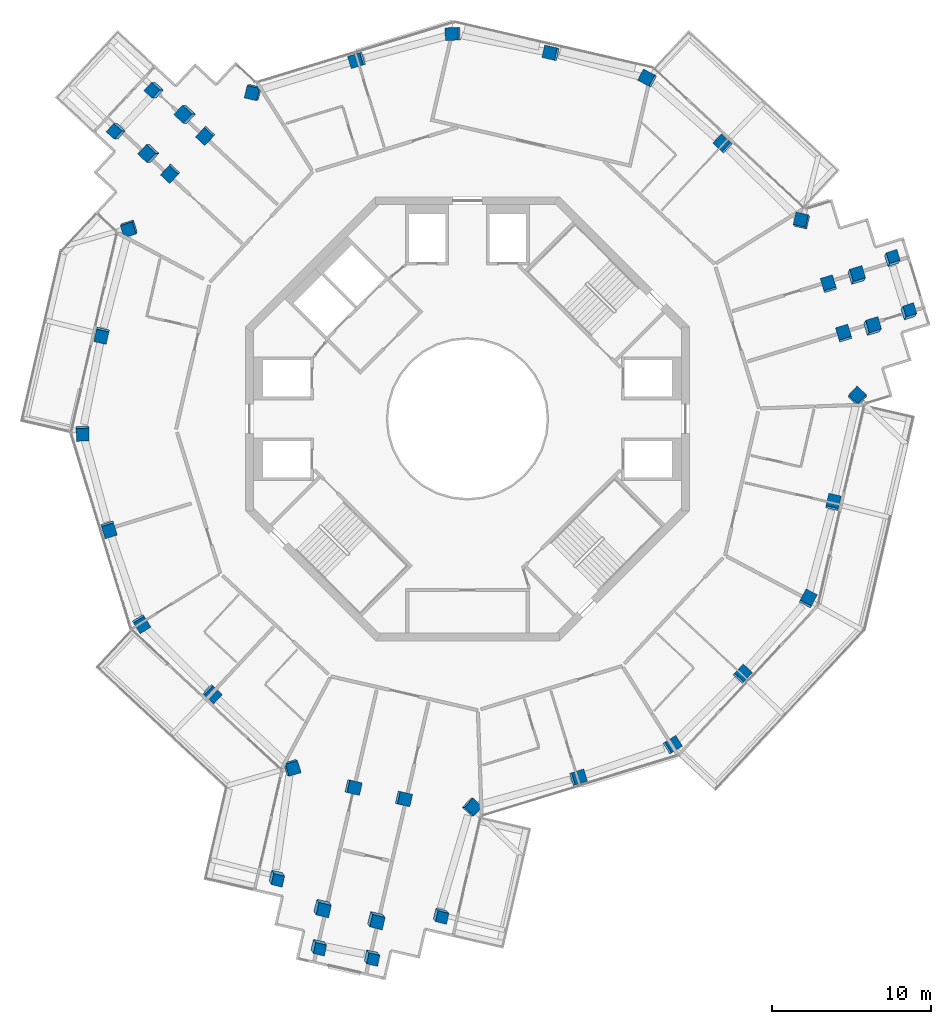
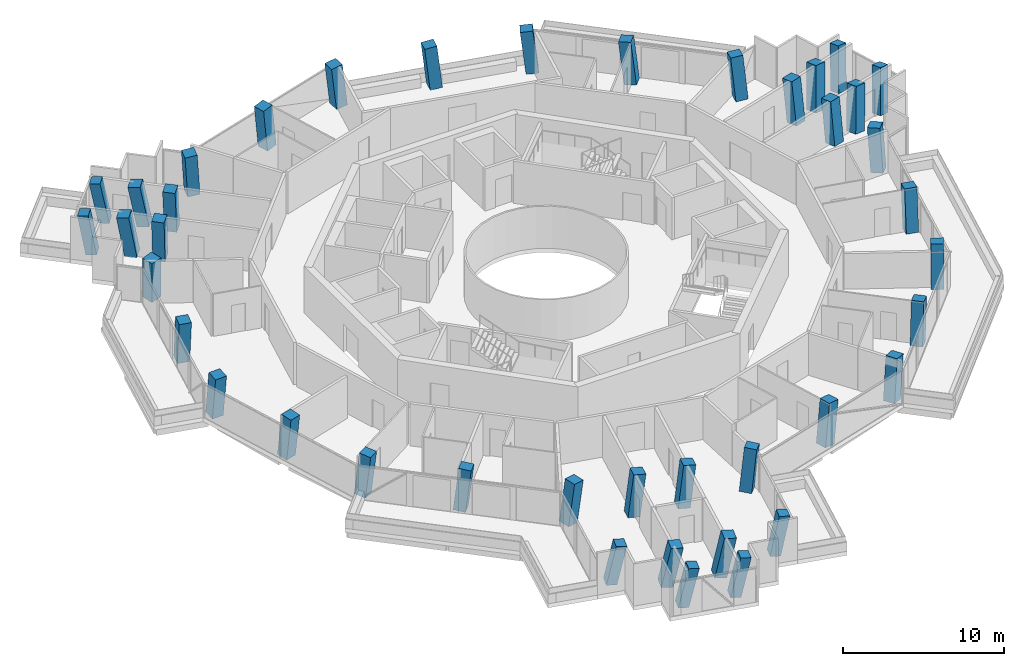
# One storey, part 1 of 21: 41 columns.
"""IFC4 building model written with IfcOpenShell, lengths in metres."""

from ifc_helpers import new_model, si_unit, direction, frame, origin, origin_2d, place, context, subcontext, project, spatial, rectangle, extrude, material, material_profile, profile_set, type_object, element, save


model = new_model("IFC4")

# Units and contexts
model_context = context("Model", 3, precision=1e-05, world=origin(), true_north=direction((0.0, 1.0)))
body_context = subcontext(model_context, "Body", "Model", "MODEL_VIEW")
ifc_project = project(units=[si_unit("LENGTHUNIT", "METRE"), si_unit("AREAUNIT", "SQUARE_METRE"), si_unit("VOLUMEUNIT", "CUBIC_METRE"), si_unit("PLANEANGLEUNIT", "RADIAN"), si_unit("MASSUNIT", "GRAM", prefix="KILO")], contexts=[model_context])

# Site, building, storey
site_placement = place(None, origin())
site = spatial("IfcSite", under=ifc_project, at=site_placement, CompositionType="ELEMENT")
building_placement = place(site_placement, origin())
building = spatial("IfcBuilding", under=site, at=building_placement, Name="Verdalira Terraces Hotel", CompositionType="ELEMENT")
storey_placement = place(building_placement, frame((0.0, 0.0, 227.0)))
storey = spatial("IfcBuildingStorey", under=building, at=storey_placement, Name="L55", CompositionType="ELEMENT", Elevation=227.0)

# Columns
ifc_material_1 = material(Name="Concrete C50", Category="concrete")
ifc_material_profile_1 = material_profile(ifc_material_1, rectangle(XDim=0.699951, YDim=0.699951, at=origin_2d()), Name="RC 700X700")
ifc_profile_set_1 = profile_set([ifc_material_profile_1], Name="Concrete C50")
column_type_1 = type_object("IfcColumnType", Name="Column RC 700X700 C50", PredefinedType="COLUMN", material=ifc_profile_set_1)
for number, where, z_axis, x_axis, name in (
    (1, (-12.081787, -28.867676, 0.0), (0.106017891, -0.192698717, 0.975513922), (-0.245154956, -0.95582486, -0.162166227), "Column C08"),
    (2, (-9.452881, -33.228271, 0.0), (0.126321214, -0.180224238, 0.975480484), (0.966900577, -0.197390937, -0.161678976), "Column C09"),
):
    element("IfcColumn", number, at=place(storey_placement, frame(where, z_axis=z_axis, x_axis=x_axis)), inside=storey, type_object=column_type_1, Name=name, PredefinedType="COLUMN", context=body_context, shape_type="SweptSolid", body=[
        extrude(rectangle(XDim=0.699951, YDim=0.699951, at=origin_2d()), origin(), (0.0, 0.0, 1.0), 3.27002),
    ])
column_1_placement = place(storey_placement, frame((-6.097656, -33.897705, 0.0), z_axis=(0.129607101, -0.165002112, 0.977740406), x_axis=(0.966282959, -0.200230933, -0.161879021)))
element("IfcColumn", 3, at=column_1_placement, inside=storey, type_object=column_type_1, Name="Column C10", PredefinedType="COLUMN", context=body_context, shape_type="SweptSolid", body=[
    extrude(rectangle(XDim=0.699951, YDim=0.699951, at=origin_2d()), origin(), (0.0, 0.0, 1.0), 3.262451),
])
column_2_placement = place(storey_placement, frame((-1.736816, -31.268799, 0.0), z_axis=(0.117663828, -0.145331745, 0.982361394), x_axis=(0.23960236, 0.964161946, 0.113940559)))
element("IfcColumn", 4, at=column_2_placement, inside=storey, type_object=column_type_1, Name="Column C11", PredefinedType="COLUMN", context=body_context, shape_type="SweptSolid", body=[
    extrude(rectangle(XDim=0.699951, YDim=0.699951, at=origin_2d()), origin(), (0.0, 0.0, 1.0), 3.247314),
])
column_3_placement = place(storey_placement, frame((27.766357, 6.669434, 0.0), z_axis=(0.101808213, 0.173553765, 0.979547946), x_axis=(-0.309801765, 0.941230519, -0.134565885)))
element("IfcColumn", 5, at=column_3_placement, inside=storey, type_object=column_type_1, Name="Column C19", PredefinedType="COLUMN", context=body_context, shape_type="SweptSolid", body=[
    extrude(rectangle(XDim=0.699951, YDim=0.699951, at=origin_2d()), origin(), (0.0, 0.0, 1.0), 3.256592),
])
column_4_placement = place(storey_placement, frame((26.734863, 10.034912, 0.0), z_axis=(0.086266605, 0.168926244, 0.981846219), x_axis=(-0.307573339, 0.941894837, -0.135028731)))
element("IfcColumn", 6, at=column_4_placement, inside=storey, type_object=column_type_1, Name="Column C20", PredefinedType="COLUMN", context=body_context, shape_type="SweptSolid", body=[
    extrude(rectangle(XDim=0.699951, YDim=0.699951, at=origin_2d()), origin(), (0.0, 0.0, 1.0), 3.249023),
])
column_5_placement = place(storey_placement, frame((-19.65918, 20.71167, 0.0), z_axis=(-0.201145007, 0.001424434, 0.979560441), x_axis=(-0.660359105, -0.73880229, -0.134525198)))
element("IfcColumn", 7, at=column_5_placement, inside=storey, type_object=column_type_1, Name="Column C28", PredefinedType="COLUMN", context=body_context, shape_type="SweptSolid", body=[
    extrude(rectangle(XDim=0.699951, YDim=0.699951, at=origin_2d()), origin(), (0.0, 0.0, 1.0), 3.256592),
])
column_6_placement = place(storey_placement, frame((-22.057861, 18.135498, 0.0), z_axis=(-0.189440503, -0.009693703, 0.98184435), x_axis=(-0.662153639, -0.737101039, -0.135035616)))
element("IfcColumn", 8, at=column_6_placement, inside=storey, type_object=column_type_1, Name="Column C29", PredefinedType="COLUMN", context=body_context, shape_type="SweptSolid", body=[
    extrude(rectangle(XDim=0.699951, YDim=0.699951, at=origin_2d()), origin(), (0.0, 0.0, 1.0), 3.249023),
])
ifc_material_2 = material(Name="Concrete C50", Category="concrete")
ifc_material_profile_2 = material_profile(ifc_material_2, rectangle(XDim=0.800049, YDim=0.800049, at=origin_2d()), Name="RC 800X800")
ifc_profile_set_2 = profile_set([ifc_material_profile_2], Name="Concrete C50")
column_type_2 = type_object("IfcColumnType", Name="Column RC 800X800 C50", PredefinedType="COLUMN", material=ifc_profile_set_2)
column_7_placement = place(storey_placement, frame((-21.321533, 12.038818, 0.0), z_axis=(-0.056402373, -0.101858733, 0.993198656), x_axis=(-0.298505491, 0.951000235, 0.080579308)))
element("IfcColumn", 9, at=column_7_placement, inside=storey, type_object=column_type_2, Name="Column C01", PredefinedType="COLUMN", context=body_context, shape_type="SweptSolid", body=[
    extrude(rectangle(XDim=0.800049, YDim=0.800049, at=origin_2d()), origin(), (0.0, 0.0, 1.0), 3.21167),
])
column_8_placement = place(storey_placement, frame((-23.055664, 5.305908, 0.0), z_axis=(-0.024335425, -0.109889655, 0.993645838), x_axis=(-0.223065624, -0.9682844, -0.112547984)))
element("IfcColumn", 10, at=column_8_placement, inside=storey, type_object=column_type_2, Name="Column C02", PredefinedType="COLUMN", context=body_context, shape_type="SweptSolid", body=[
    extrude(rectangle(XDim=0.800049, YDim=0.800049, at=origin_2d()), origin(), (0.0, 0.0, 1.0), 3.210449),
])
column_9_placement = place(storey_placement, frame((-24.270508, -0.864502, 0.0), z_axis=(0.005093486, -0.115401674, 0.993305849), x_axis=(-0.035372235, 0.992676314, 0.115509918)))
element("IfcColumn", 11, at=column_9_placement, inside=storey, type_object=column_type_2, Name="Column C03", PredefinedType="COLUMN", context=body_context, shape_type="SweptSolid", body=[
    extrude(rectangle(XDim=0.800049, YDim=0.800049, at=origin_2d()), origin(), (0.0, 0.0, 1.0), 3.211426),
])
column_10_placement = place(storey_placement, frame((-22.619629, -6.932861, 0.0), z_axis=(0.033841596, -0.107304475, 0.993650087), x_axis=(0.290813838, -0.950141415, -0.112510462)))
element("IfcColumn", 12, at=column_10_placement, inside=storey, type_object=column_type_2, Name="Column C04", PredefinedType="COLUMN", context=body_context, shape_type="SweptSolid", body=[
    extrude(rectangle(XDim=0.800049, YDim=0.800049, at=origin_2d()), origin(), (0.0, 0.0, 1.0), 3.210205),
])
column_11_placement = place(storey_placement, frame((-20.58667, -12.883789, 0.0), z_axis=(0.062110189, -0.097384519, 0.993306891), x_axis=(-0.52699861, 0.841980994, 0.115500958)))
element("IfcColumn", 13, at=column_11_placement, inside=storey, type_object=column_type_2, Name="Column C05", PredefinedType="COLUMN", context=body_context, shape_type="SweptSolid", body=[
    extrude(rectangle(XDim=0.800049, YDim=0.800049, at=origin_2d()), origin(), (0.0, 0.0, 1.0), 3.211426),
])
column_12_placement = place(storey_placement, frame((-16.122803, -17.313965, 0.0), z_axis=(0.082969105, -0.075972627, 0.993651995), x_axis=(0.727116922, -0.677234205, -0.112493612)))
element("IfcColumn", 14, at=column_12_placement, inside=storey, type_object=column_type_2, Name="Column C06", PredefinedType="COLUMN", context=body_context, shape_type="SweptSolid", body=[
    extrude(rectangle(XDim=0.800049, YDim=0.800049, at=origin_2d()), origin(), (0.0, 0.0, 1.0), 3.210205),
])
column_13_placement = place(storey_placement, frame((-11.112549, -21.979492, 0.0), z_axis=(0.104966556, -0.051989228, 0.993115876), x_axis=(-0.285378183, 0.95505692, 0.080159667)))
element("IfcColumn", 15, at=column_13_placement, inside=storey, type_object=column_type_2, Name="Column C07", PredefinedType="COLUMN", context=body_context, shape_type="SweptSolid", body=[
    extrude(rectangle(XDim=0.800049, YDim=0.800049, at=origin_2d()), origin(), (0.0, 0.0, 1.0), 3.212158),
])
column_14_placement = place(storey_placement, frame((0.234863, -24.484375, 0.0), z_axis=(0.11637788, 0.0021284, 0.993202728), x_axis=(-0.674053136, -0.734277345, 0.080555267)))
element("IfcColumn", 16, at=column_14_placement, inside=storey, type_object=column_type_2, Name="Column C12", PredefinedType="COLUMN", context=body_context, shape_type="SweptSolid", body=[
    extrude(rectangle(XDim=0.800049, YDim=0.800049, at=origin_2d()), origin(), (0.0, 0.0, 1.0), 3.21167),
])
column_15_placement = place(storey_placement, frame((6.932861, -22.619629, 0.0), z_axis=(0.107304475, 0.033841596, 0.993650087), x_axis=(0.950141415, 0.290813838, -0.112510462)))
element("IfcColumn", 17, at=column_15_placement, inside=storey, type_object=column_type_2, Name="Column C13", PredefinedType="COLUMN", context=body_context, shape_type="SweptSolid", body=[
    extrude(rectangle(XDim=0.800049, YDim=0.800049, at=origin_2d()), origin(), (0.0, 0.0, 1.0), 3.210205),
])
column_16_placement = place(storey_placement, frame((12.883789, -20.58667, 0.0), z_axis=(0.097384519, 0.062110189, 0.993306891), x_axis=(-0.841980994, -0.52699861, 0.115500958)))
element("IfcColumn", 18, at=column_16_placement, inside=storey, type_object=column_type_2, Name="Column C14", PredefinedType="COLUMN", context=body_context, shape_type="SweptSolid", body=[
    extrude(rectangle(XDim=0.800049, YDim=0.800049, at=origin_2d()), origin(), (0.0, 0.0, 1.0), 3.211426),
])
column_17_placement = place(storey_placement, frame((17.313965, -16.122803, 0.0), z_axis=(0.075972627, 0.082969105, 0.993651995), x_axis=(0.677234205, 0.727116922, -0.112493612)))
element("IfcColumn", 19, at=column_17_placement, inside=storey, type_object=column_type_2, Name="Column C15", PredefinedType="COLUMN", context=body_context, shape_type="SweptSolid", body=[
    extrude(rectangle(XDim=0.800049, YDim=0.800049, at=origin_2d()), origin(), (0.0, 0.0, 1.0), 3.210205),
])
column_18_placement = place(storey_placement, frame((21.451172, -11.386475, 0.0), z_axis=(0.053292013, 0.10240277, 0.993314469), x_axis=(-0.466021288, -0.877210773, 0.115435775)))
element("IfcColumn", 20, at=column_18_placement, inside=storey, type_object=column_type_2, Name="Column C16", PredefinedType="COLUMN", context=body_context, shape_type="SweptSolid", body=[
    extrude(rectangle(XDim=0.800049, YDim=0.800049, at=origin_2d()), origin(), (0.0, 0.0, 1.0), 3.211426),
])
column_19_placement = place(storey_placement, frame((23.055664, -5.305908, 0.0), z_axis=(0.024335425, 0.109889655, 0.993645838), x_axis=(0.223065624, 0.9682844, -0.112547984)))
element("IfcColumn", 21, at=column_19_placement, inside=storey, type_object=column_type_2, Name="Column C17", PredefinedType="COLUMN", context=body_context, shape_type="SweptSolid", body=[
    extrude(rectangle(XDim=0.800049, YDim=0.800049, at=origin_2d()), origin(), (0.0, 0.0, 1.0), 3.210449),
])
for number, where, z_axis, x_axis, name in (
    (22, (24.591064, 1.366211, 0.0), (-0.007448815, 0.116824776, 0.993124608), (-0.684449779, -0.724645465, 0.080108985), "Column C18"),
    (23, (21.08667, 12.445557, 0.0), (-0.060050713, 0.099805806, 0.99319319), (0.972875107, -0.216831272, 0.080611572), "Column C21"),
):
    element("IfcColumn", number, at=place(storey_placement, frame(where, z_axis=z_axis, x_axis=x_axis)), inside=storey, type_object=column_type_2, Name=name, PredefinedType="COLUMN", context=body_context, shape_type="SweptSolid", body=[
        extrude(rectangle(XDim=0.800049, YDim=0.800049, at=origin_2d()), origin(), (0.0, 0.0, 1.0), 3.211914),
    ])
column_20_placement = place(storey_placement, frame((16.122803, 17.313965, 0.0), z_axis=(-0.082969105, 0.075972627, 0.993651995), x_axis=(-0.727116922, 0.677234205, -0.112493612)))
element("IfcColumn", 24, at=column_20_placement, inside=storey, type_object=column_type_2, Name="Column C22", PredefinedType="COLUMN", context=body_context, shape_type="SweptSolid", body=[
    extrude(rectangle(XDim=0.800049, YDim=0.800049, at=origin_2d()), origin(), (0.0, 0.0, 1.0), 3.210205),
])
column_21_placement = place(storey_placement, frame((11.386475, 21.451172, 0.0), z_axis=(-0.10240277, 0.053292013, 0.993314469), x_axis=(0.877210773, -0.466021288, 0.115435775)))
element("IfcColumn", 25, at=column_21_placement, inside=storey, type_object=column_type_2, Name="Column C23", PredefinedType="COLUMN", context=body_context, shape_type="SweptSolid", body=[
    extrude(rectangle(XDim=0.800049, YDim=0.800049, at=origin_2d()), origin(), (0.0, 0.0, 1.0), 3.211426),
])
column_22_placement = place(storey_placement, frame((5.305908, 23.055664, 0.0), z_axis=(-0.109889655, 0.024335425, 0.993645838), x_axis=(-0.9682844, 0.223065624, -0.112547984)))
element("IfcColumn", 26, at=column_22_placement, inside=storey, type_object=column_type_2, Name="Column C24", PredefinedType="COLUMN", context=body_context, shape_type="SweptSolid", body=[
    extrude(rectangle(XDim=0.800049, YDim=0.800049, at=origin_2d()), origin(), (0.0, 0.0, 1.0), 3.210449),
])
column_23_placement = place(storey_placement, frame((-0.864502, 24.270508, 0.0), z_axis=(-0.115401674, -0.005093486, 0.993305849), x_axis=(0.992676314, 0.035372235, 0.115509918)))
element("IfcColumn", 27, at=column_23_placement, inside=storey, type_object=column_type_2, Name="Column C25", PredefinedType="COLUMN", context=body_context, shape_type="SweptSolid", body=[
    extrude(rectangle(XDim=0.800049, YDim=0.800049, at=origin_2d()), origin(), (0.0, 0.0, 1.0), 3.211426),
])
column_24_placement = place(storey_placement, frame((-6.932861, 22.619629, 0.0), z_axis=(-0.107304475, -0.033841596, 0.993650087), x_axis=(-0.950141415, -0.290813838, -0.112510462)))
element("IfcColumn", 28, at=column_24_placement, inside=storey, type_object=column_type_2, Name="Column C26", PredefinedType="COLUMN", context=body_context, shape_type="SweptSolid", body=[
    extrude(rectangle(XDim=0.800049, YDim=0.800049, at=origin_2d()), origin(), (0.0, 0.0, 1.0), 3.210205),
])
column_25_placement = place(storey_placement, frame((-13.47876, 20.613525, 0.0), z_axis=(-0.097442412, -0.064910936, 0.993122121), x_axis=(0.969869897, -0.230070903, 0.080123424)))
element("IfcColumn", 29, at=column_25_placement, inside=storey, type_object=column_type_2, Name="Column C27", PredefinedType="COLUMN", context=body_context, shape_type="SweptSolid", body=[
    extrude(rectangle(XDim=0.800049, YDim=0.800049, at=origin_2d()), origin(), (0.0, 0.0, 1.0), 3.211914),
])
for number, where, z_axis, x_axis, name in (
    (30, (-16.487793, 17.890381, 0.0), (-0.084382925, -0.0791375, 0.993285849), (-0.731413338, 0.681889699, -0.007808176), "Column C30"),
    (31, (-18.707031, 15.50708, 0.0), (-0.072981197, -0.08955401, 0.993304497), (-0.732395958, 0.680836865, 0.007571231), "Column C31"),
):
    element("IfcColumn", number, at=place(storey_placement, frame(where, z_axis=z_axis, x_axis=x_axis)), inside=storey, type_object=column_type_2, Name=name, PredefinedType="COLUMN", context=body_context, shape_type="SweptSolid", body=[
        extrude(rectangle(XDim=0.800049, YDim=0.800049, at=origin_2d()), origin(), (0.0, 0.0, 1.0), 3.211426),
    ])
column_26_placement = place(storey_placement, frame((-17.713379, 19.191406, 0.0), z_axis=(-0.194358, 0.010584966, 0.980873553), x_axis=(-0.710791074, 0.687600512, -0.148261883)))
element("IfcColumn", 32, at=column_26_placement, inside=storey, type_object=column_type_2, Name="Column C32", PredefinedType="COLUMN", context=body_context, shape_type="SweptSolid", body=[
    extrude(rectangle(XDim=0.800049, YDim=0.800049, at=origin_2d()), origin(), (0.0, 0.0, 1.0), 3.252197),
])
column_27_placement = place(storey_placement, frame((-20.012207, 16.722656, 0.0), z_axis=(-0.183134536, -7.524e-05, 0.983087858), x_axis=(-0.713627914, 0.687805664, -0.132885546)))
element("IfcColumn", 33, at=column_27_placement, inside=storey, type_object=column_type_2, Name="Column C33", PredefinedType="COLUMN", context=body_context, shape_type="SweptSolid", body=[
    extrude(rectangle(XDim=0.800049, YDim=0.800049, at=origin_2d()), origin(), (0.0, 0.0, 1.0), 3.244873),
])
for number, where, z_axis, x_axis, name in (
    (34, (-7.249512, -23.224121, 0.0), (0.110686507, -0.03352524, 0.993289764), (-0.225055489, -0.974314679, -0.007805907), "Column C34"),
    (35, (-4.076172, -23.954346, 0.0), (0.11410823, -0.018473218, 0.993296558), (-0.223729031, -0.974621942, 0.007575704), "Column C35"),
):
    element("IfcColumn", number, at=place(storey_placement, frame(where, z_axis=z_axis, x_axis=x_axis)), inside=storey, type_object=column_type_2, Name=name, PredefinedType="COLUMN", context=body_context, shape_type="SweptSolid", body=[
        extrude(rectangle(XDim=0.800049, YDim=0.800049, at=origin_2d()), origin(), (0.0, 0.0, 1.0), 3.211426),
    ])
column_28_placement = place(storey_placement, frame((-9.207275, -30.760498, 0.0), z_axis=(0.115005064, -0.179461738, 0.977019611), x_axis=(-0.243962787, -0.958525322, -0.147347773)))
element("IfcColumn", 36, at=column_28_placement, inside=storey, type_object=column_type_2, Name="Column C36", PredefinedType="COLUMN", context=body_context, shape_type="SweptSolid", body=[
    extrude(rectangle(XDim=0.800049, YDim=0.800049, at=origin_2d()), origin(), (0.0, 0.0, 1.0), 3.264893),
])
column_29_placement = place(storey_placement, frame((-5.821777, -31.539551, 0.0), z_axis=(0.118792664, -0.164061288, 0.979271258), x_axis=(-0.242287506, -0.96123131, -0.131647761)))
element("IfcColumn", 37, at=column_29_placement, inside=storey, type_object=column_type_2, Name="Column C37", PredefinedType="COLUMN", context=body_context, shape_type="SweptSolid", body=[
    extrude(rectangle(XDim=0.800049, YDim=0.800049, at=origin_2d()), origin(), (0.0, 0.0, 1.0), 3.257568),
])
for number, where, z_axis, x_axis, name in (
    (38, (23.737305, 5.33374, 0.0), (-0.026303126, 0.112662523, 0.993285106), (0.956349325, 0.292121541, -0.007808607), "Column C38"),
    (39, (22.783203, 8.447266, 0.0), (-0.041127969, 0.107951417, 0.99330508), (0.95564483, 0.294424251, 0.007570903), "Column C39"),
):
    element("IfcColumn", number, at=place(storey_placement, frame(where, z_axis=z_axis, x_axis=x_axis)), inside=storey, type_object=column_type_2, Name=name, PredefinedType="COLUMN", context=body_context, shape_type="SweptSolid", body=[
        extrude(rectangle(XDim=0.800049, YDim=0.800049, at=origin_2d()), origin(), (0.0, 0.0, 1.0), 3.211426),
    ])
column_30_placement = place(storey_placement, frame((25.476807, 5.744385, 0.0), z_axis=(0.106448578, 0.163050995, 0.980858335), x_axis=(0.950970035, 0.271398392, -0.148320283)))
element("IfcColumn", 40, at=column_30_placement, inside=storey, type_object=column_type_2, Name="Column C40", PredefinedType="COLUMN", context=body_context, shape_type="SweptSolid", body=[
    extrude(rectangle(XDim=0.800049, YDim=0.800049, at=origin_2d()), origin(), (0.0, 0.0, 1.0), 3.252197),
])
column_31_placement = place(storey_placement, frame((24.488281, 8.969727, 0.0), z_axis=(0.091491463, 0.158680507, 0.983081792), x_axis=(0.952422428, 0.274274809, -0.132909172)))
element("IfcColumn", 41, at=column_31_placement, inside=storey, type_object=column_type_2, Name="Column C41", PredefinedType="COLUMN", context=body_context, shape_type="SweptSolid", body=[
    extrude(rectangle(XDim=0.800049, YDim=0.800049, at=origin_2d()), origin(), (0.0, 0.0, 1.0), 3.244873),
])

save(model, "model.ifc")
